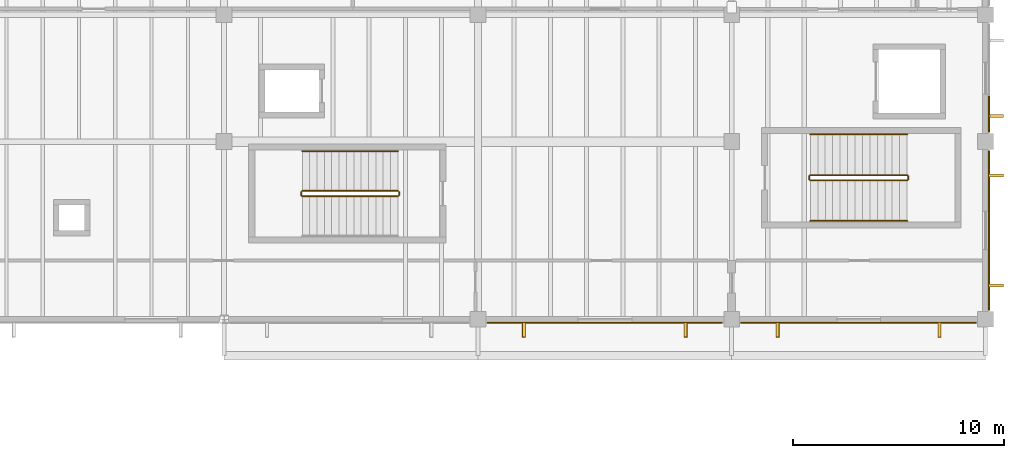
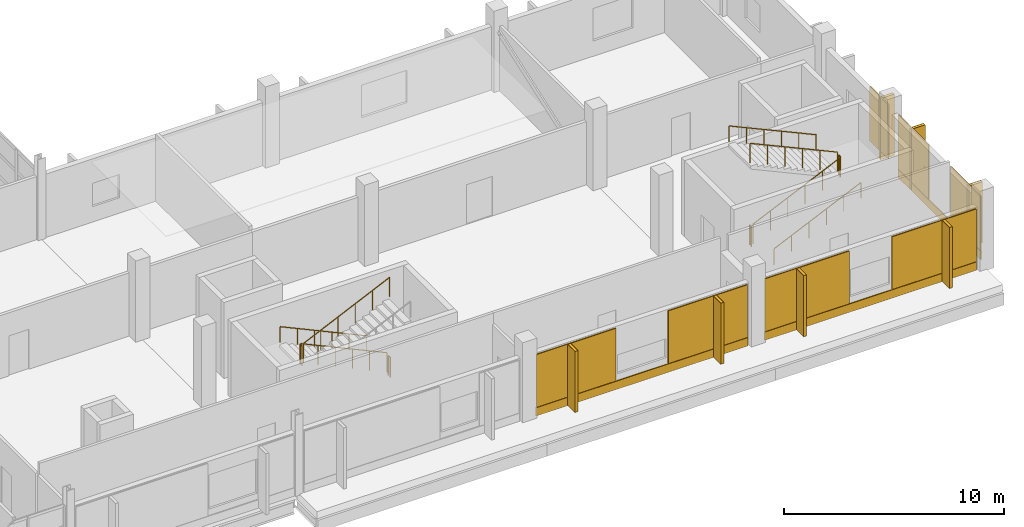
# One storey, part 111 of 114: 17 coverings, 11 railings, 7 shading devices.
"""IFC4 building model written with IfcOpenShell, lengths in metres."""

from ifc_helpers import new_model, si_unit, direction, frame, origin, origin_2d, place, context, subcontext, project, spatial, rectangle, circle, extrude, material, layer, layer_set, type_object, element, save


model = new_model("IFC4")

# Units and contexts
model_context = context("Model", 3, precision=1e-05, world=origin(), true_north=direction((0.0, 1.0)))
body_context = subcontext(model_context, "Body", "Model", "MODEL_VIEW")
ifc_project = project(units=[si_unit("LENGTHUNIT", "METRE"), si_unit("AREAUNIT", "SQUARE_METRE"), si_unit("VOLUMEUNIT", "CUBIC_METRE"), si_unit("PLANEANGLEUNIT", "RADIAN"), si_unit("MASSUNIT", "GRAM", prefix="KILO")], contexts=[model_context])

# Site, building, storey
site_placement = place(None, origin())
site = spatial("IfcSite", under=ifc_project, at=site_placement, CompositionType="ELEMENT")
building_placement = place(site_placement, origin())
building = spatial("IfcBuilding", under=site, at=building_placement, Name="Kelmvaro Bay Concert Hall", CompositionType="ELEMENT")
storey_placement = place(building_placement, frame((0.0, 0.0, 4.800048828125)))
storey = spatial("IfcBuildingStorey", under=building, at=storey_placement, Name="L01", CompositionType="ELEMENT", Elevation=4.800048828125)

# Shading devices
ifc_material_1 = material(Name="Anodised Extruded Aluminium 6063-T6", Category="aluminium")
ifc_layer_1 = layer(ifc_material_1, 3.39990234375)
ifc_layer_set_1 = layer_set([ifc_layer_1], Name="Anodised Extruded Aluminium 6063-T6")
shading_device_type = type_object("IfcShadingDeviceType", Name="Bauhaus Vertical Solar Brise-Soleil Fin 720x3400", PredefinedType="SHUTTER", material=ifc_layer_set_1)
for number, where, z_axis, x_axis, name in (
    (1, (153.824951171875, 15.10400390625, 0.0595703125), (0.0, 0.0, 1.0), (-1.0, 0.0, 0.0), "L01 Solar Brise-Soleil Fin 134"),
    (2, (146.175048828125, 15.10400390625, 0.0595703125), (0.0, 0.0, 1.0), (-1.0, 0.0, 0.0), "L01 Solar Brise-Soleil Fin 135"),
    (3, (165.824951171875, 15.10400390625, 0.0595703125), (0.0, 0.0, 1.0), (-1.0, 0.0, 0.0), "L01 Solar Brise-Soleil Fin 136"),
    (4, (158.175048828125, 15.10400390625, 0.0595703125), (0.0, 0.0, 1.0), (-1.0, 0.0, 0.0), "L01 Solar Brise-Soleil Fin 137"),
):
    element("IfcShadingDevice", number, at=place(storey_placement, frame(where, z_axis=z_axis, x_axis=x_axis)), inside=storey, type_object=shading_device_type, Name=name, PredefinedType="SHUTTER", context=body_context, shape_type="SweptSolid", body=[
        extrude(rectangle(XDim=0.159912109375, YDim=0.719970703125, at=origin_2d()), origin(), (0.0, 0.0, 1.0), 3.386962890625),
    ])
for number, where, z_axis, x_axis, name in (
    (5, (168.49609375, 22.40087890625, 0.06005859375), (0.0, 0.0, 1.0), (0.0, -1.0, 0.0), "L01 Solar Brise-Soleil Fin 144"),
    (6, (168.49609375, 17.198974609375, 0.06005859375), (0.0, 0.0, 1.0), (0.0, -1.0, 0.0), "L01 Solar Brise-Soleil Fin 145"),
    (7, (168.49609375, 25.215087890625, 0.06005859375), (0.0, 0.0, 1.0), (0.0, -1.0, 0.0), "L01 Solar Brise-Soleil Fin 147"),
):
    element("IfcShadingDevice", number, at=place(storey_placement, frame(where, z_axis=z_axis, x_axis=x_axis)), inside=storey, type_object=shading_device_type, Name=name, PredefinedType="SHUTTER", context=body_context, shape_type="SweptSolid", body=[
        extrude(rectangle(XDim=0.159912109375, YDim=0.719970703125, at=origin_2d()), origin(), (0.0, 0.0, 1.0), 3.39990234375),
    ])

# Coverings
ifc_material_2 = material(Name="PVDF-Coated Architectural Aluminium", Category="aluminium")
ifc_layer_2 = layer(ifc_material_2, 0.0400390625)
ifc_layer_set_2 = layer_set([ifc_layer_2], Name="PVDF-Coated Architectural Aluminium")
covering_type_1 = type_object("IfcCoveringType", Name="De Stijl Enamelled Aluminium Fascia Panel 40", PredefinedType="CLADDING", material=ifc_layer_set_2)
for number, where, z_axis, x_axis, name in (
    (8, (153.824951171875, 15.10400390625, 0.0595703125), (0.0, 0.0, 1.0), (-1.0, 0.0, 0.0), "L01 Architectural Vertical Fin Cladding 0711"),
    (9, (146.175048828125, 15.10400390625, 0.0595703125), (0.0, 0.0, 1.0), (-1.0, 0.0, 0.0), "L01 Architectural Vertical Fin Cladding 0712"),
    (10, (165.824951171875, 15.10400390625, 0.0595703125), (0.0, 0.0, 1.0), (-1.0, 0.0, 0.0), "L01 Architectural Vertical Fin Cladding 0716"),
    (11, (158.175048828125, 15.10400390625, 0.0595703125), (0.0, 0.0, 1.0), (-1.0, 0.0, 0.0), "L01 Architectural Vertical Fin Cladding 0717"),
):
    element("IfcCovering", number, at=place(storey_placement, frame(where, z_axis=z_axis, x_axis=x_axis)), inside=storey, type_object=covering_type_1, Name=name, PredefinedType="CLADDING", context=body_context, shape_type="SweptSolid", body=[
        extrude(rectangle(XDim=0.139892578125, YDim=0.699951171875, at=origin_2d()), origin(), (0.0, 0.0, 1.0), 3.386962890625),
    ])
for number, where, z_axis, x_axis, name in (
    (12, (168.49609375, 22.40087890625, 0.06005859375), (0.0, 0.0, 1.0), (0.0, -1.0, 0.0), "L01 Architectural Vertical Fin Cladding 0736"),
    (13, (168.49609375, 17.198974609375, 0.06005859375), (0.0, 0.0, 1.0), (0.0, -1.0, 0.0), "L01 Architectural Vertical Fin Cladding 0737"),
    (14, (168.49609375, 25.215087890625, 0.06005859375), (0.0, 0.0, 1.0), (0.0, -1.0, 0.0), "L01 Architectural Vertical Fin Cladding 0742"),
):
    element("IfcCovering", number, at=place(storey_placement, frame(where, z_axis=z_axis, x_axis=x_axis)), inside=storey, type_object=covering_type_1, Name=name, PredefinedType="CLADDING", context=body_context, shape_type="SweptSolid", body=[
        extrude(rectangle(XDim=0.139892578125, YDim=0.699951171875, at=origin_2d()), origin(), (0.0, 0.0, 1.0), 3.39990234375),
    ])
ifc_material_3 = material(Name="Honed Florida Limestone Travertine", Category="masonry")
ifc_layer_3 = layer(ifc_material_3, 0.054931640625)
ifc_layer_set_3 = layer_set([ifc_layer_3], Name="Honed Florida Limestone Travertine")
covering_type_2 = type_object("IfcCoveringType", Name="Honed Florida Travertine Rainscreen Cladding 55", PredefinedType="CLADDING", material=ifc_layer_set_3)
covering_1_placement = place(storey_placement, frame((150.0, 15.4345703125, 0.0400390625), z_axis=(0.0, 0.0, 1.0), x_axis=(-1.0, 0.0, 0.0)))
element("IfcCovering", 15, at=covering_1_placement, inside=storey, type_object=covering_type_2, Name="L01 Travertine Sill Band 0710", PredefinedType="CLADDING", context=body_context, shape_type="SweptSolid", body=[
    extrude(rectangle(XDim=11.1298828125, YDim=0.054931640625, at=origin_2d()), origin(), (0.0, 0.0, 1.0), 0.4599609375),
])
for number, where, z_axis, x_axis, name in (
    (16, (153.4599609375, 15.4345703125, 0.52001953125), (0.0, 0.0, 1.0), (-1.0, 0.0, 0.0), "L01 Travertine Pier Panel 0713"),
    (17, (146.5400390625, 15.4345703125, 0.52001953125), (0.0, 0.0, 1.0), (-1.0, 0.0, 0.0), "L01 Travertine Pier Panel 0714"),
):
    element("IfcCovering", number, at=place(storey_placement, frame(where, z_axis=z_axis, x_axis=x_axis)), inside=storey, type_object=covering_type_2, Name=name, PredefinedType="CLADDING", context=body_context, shape_type="SweptSolid", body=[
        extrude(rectangle(XDim=4.169921875, YDim=0.054931640625, at=origin_2d()), origin(), (0.0, 0.0, 1.0), 2.927001953125),
    ])
covering_2_placement = place(storey_placement, frame((162.0, 15.4345703125, 0.0400390625), z_axis=(0.0, 0.0, 1.0), x_axis=(-1.0, 0.0, 0.0)))
element("IfcCovering", 18, at=covering_2_placement, inside=storey, type_object=covering_type_2, Name="L01 Travertine Sill Band 0715", PredefinedType="CLADDING", context=body_context, shape_type="SweptSolid", body=[
    extrude(rectangle(XDim=11.1298828125, YDim=0.054931640625, at=origin_2d()), origin(), (0.0, 0.0, 1.0), 0.4599609375),
])
for number, where, z_axis, x_axis, name in (
    (19, (165.3349609375, 15.4345703125, 0.52001953125), (0.0, 0.0, 1.0), (-1.0, 0.0, 0.0), "L01 Travertine Pier Panel 0718"),
    (20, (158.6650390625, 15.4345703125, 0.52001953125), (0.0, 0.0, 1.0), (-1.0, 0.0, 0.0), "L01 Travertine Pier Panel 0719"),
):
    element("IfcCovering", number, at=place(storey_placement, frame(where, z_axis=z_axis, x_axis=x_axis)), inside=storey, type_object=covering_type_2, Name=name, PredefinedType="CLADDING", context=body_context, shape_type="SweptSolid", body=[
        extrude(rectangle(XDim=4.419921875, YDim=0.054931640625, at=origin_2d()), origin(), (0.0, 0.0, 1.0), 2.927001953125),
    ])
covering_3_placement = place(storey_placement, frame((168.16552734375, 19.800048828125, 0.0400390625), z_axis=(0.0, 0.0, 1.0), x_axis=(0.0, -1.0, 0.0)))
element("IfcCovering", 21, at=covering_3_placement, inside=storey, type_object=covering_type_2, Name="L01 Travertine Sill Band 0735", PredefinedType="CLADDING", context=body_context, shape_type="SweptSolid", body=[
    extrude(rectangle(XDim=7.530029296875, YDim=0.054931640625, at=origin_2d()), origin(), (0.0, 0.0, 1.0), 0.4599609375),
])
for number, where, z_axis, x_axis, name in (
    (22, (168.16552734375, 22.172607421875, 0.52001953125), (0.0, 0.0, 1.0), (0.0, -1.0, 0.0), "L01 Travertine Pier Panel 0738"),
    (23, (168.16552734375, 17.427490234375, 0.52001953125), (0.0, 0.0, 1.0), (0.0, -1.0, 0.0), "L01 Travertine Pier Panel 0739"),
):
    element("IfcCovering", number, at=place(storey_placement, frame(where, z_axis=z_axis, x_axis=x_axis)), inside=storey, type_object=covering_type_2, Name=name, PredefinedType="CLADDING", context=body_context, shape_type="SweptSolid", body=[
        extrude(rectangle(XDim=2.7451171875, YDim=0.054931640625, at=origin_2d()), origin(), (0.0, 0.0, 1.0), 3.008056640625),
    ])
covering_4_placement = place(storey_placement, frame((168.16552734375, 25.302490234375, 0.52001953125), z_axis=(0.0, 0.0, 1.0), x_axis=(0.0, -1.0, 0.0)))
element("IfcCovering", 24, at=covering_4_placement, inside=storey, type_object=covering_type_2, Name="L01 Travertine Pier Panel 0744", PredefinedType="CLADDING", context=body_context, shape_type="SweptSolid", body=[
    extrude(rectangle(XDim=1.695068359375, YDim=0.054931640625, at=origin_2d()), origin(), (0.0, 0.0, 1.0), 3.008056640625),
])

# Railings
ifc_material_4 = material(Name="Brushed Stainless Steel 316", Category="steel")
railing_type_1 = type_object("IfcRailingType", Name="Stair Stainless Wall Handrail 900", PredefinedType="HANDRAIL", material=ifc_material_4)
railing_1_placement = place(storey_placement, frame((140.219970703125, 23.550048828125, 0.16064453125)))
element("IfcRailing", 25, at=railing_1_placement, inside=storey, type_object=railing_type_1, Name="L01 ST-05 stair handrail 1", PredefinedType="HANDRAIL", context=body_context, shape_type="SweptSolid", body=[
    extrude(circle(Radius=0.02392578125, at=origin_2d()), frame((0.0, 0.0, 0.8759765625), z_axis=(-0.907853242209, 0.0, 0.419288075922), x_axis=(0.0, -1.0, 0.0)), (0.0, 0.0, 1.0), 4.983154296875),
    extrude(circle(Radius=0.02099609375, at=origin_2d()), origin(), (0.0, 0.0, 1.0), 0.851806640625),
    extrude(circle(Radius=0.02099609375, at=origin_2d()), frame((-0.90478515625, 0.0, 0.41796875)), (0.0, 0.0, 1.0), 0.851806640625),
    extrude(circle(Radius=0.02099609375, at=origin_2d()), frame((-1.8095703125, 0.0, 0.835693359375)), (0.0, 0.0, 1.0), 0.851806640625),
    extrude(circle(Radius=0.02099609375, at=origin_2d()), frame((-2.71435546875, 0.0, 1.253662109375)), (0.0, 0.0, 1.0), 0.851806640625),
    extrude(circle(Radius=0.02099609375, at=origin_2d()), frame((-3.619140625, 0.0, 1.67138671875)), (0.0, 0.0, 1.0), 0.851806640625),
    extrude(circle(Radius=0.02099609375, at=origin_2d()), frame((-4.52392578125, 0.0, 2.08935546875)), (0.0, 0.0, 1.0), 0.851806640625),
])
railing_2_placement = place(storey_placement, frame((159.719970703125, 20.25, 0.16064453125)))
element("IfcRailing", 26, at=railing_2_placement, inside=storey, type_object=railing_type_1, Name="L01 ST-06 stair handrail 1", PredefinedType="HANDRAIL", context=body_context, shape_type="SweptSolid", body=[
    extrude(circle(Radius=0.02392578125, at=origin_2d()), frame((0.0, 0.0, 0.8759765625), z_axis=(0.909662093554, 0.0, 0.415349100818), x_axis=(0.0, 1.0, 0.0)), (0.0, 0.0, 1.0), 5.0302734375),
    extrude(circle(Radius=0.02099609375, at=origin_2d()), origin(), (0.0, 0.0, 1.0), 0.851806640625),
    extrude(circle(Radius=0.02099609375, at=origin_2d()), frame((0.915283203125, 0.0, 0.41796875)), (0.0, 0.0, 1.0), 0.851806640625),
    extrude(circle(Radius=0.02099609375, at=origin_2d()), frame((1.830322265625, 0.0, 0.835693359375)), (0.0, 0.0, 1.0), 0.851806640625),
    extrude(circle(Radius=0.02099609375, at=origin_2d()), frame((2.74560546875, 0.0, 1.253662109375)), (0.0, 0.0, 1.0), 0.851806640625),
    extrude(circle(Radius=0.02099609375, at=origin_2d()), frame((3.66064453125, 0.0, 1.67138671875)), (0.0, 0.0, 1.0), 0.851806640625),
    extrude(circle(Radius=0.02099609375, at=origin_2d()), frame((4.575927734375, 0.0, 2.08935546875)), (0.0, 0.0, 1.0), 0.851806640625),
])
railing_3_placement = place(storey_placement, frame((164.2958984375, 24.340087890625, 2.41064453125)))
element("IfcRailing", 27, at=railing_3_placement, inside=storey, type_object=railing_type_1, Name="L01 ST-06 stair handrail 2", PredefinedType="HANDRAIL", context=body_context, shape_type="SweptSolid", body=[
    extrude(circle(Radius=0.02392578125, at=origin_2d()), frame((0.0, 0.0, 0.8759765625), z_axis=(-0.909662093554, 0.0, 0.415349100818), x_axis=(0.0, -1.0, 0.0)), (0.0, 0.0, 1.0), 5.0302734375),
    extrude(circle(Radius=0.02099609375, at=origin_2d()), origin(), (0.0, 0.0, 1.0), 0.851806640625),
    extrude(circle(Radius=0.02099609375, at=origin_2d()), frame((-0.915283203125, 0.0, 0.41796875)), (0.0, 0.0, 1.0), 0.851806640625),
    extrude(circle(Radius=0.02099609375, at=origin_2d()), frame((-1.830322265625, 0.0, 0.835693359375)), (0.0, 0.0, 1.0), 0.851806640625),
    extrude(circle(Radius=0.02099609375, at=origin_2d()), frame((-2.74560546875, 0.0, 1.253662109375)), (0.0, 0.0, 1.0), 0.851806640625),
    extrude(circle(Radius=0.02099609375, at=origin_2d()), frame((-3.66064453125, 0.0, 1.67138671875)), (0.0, 0.0, 1.0), 0.851806640625),
    extrude(circle(Radius=0.02099609375, at=origin_2d()), frame((-4.575927734375, 0.0, 2.08935546875)), (0.0, 0.0, 1.0), 0.851806640625),
])
ifc_material_5 = material(Name="Powder-Coated Steel ASTM A500", Category="steel")
railing_type_2 = type_object("IfcRailingType", Name="Stair Well Painted Steel Guard 1100", PredefinedType="BALUSTRADE", material=ifc_material_5)
railing_4_placement = place(storey_placement, frame((140.219970703125, 21.669921875, 0.16064453125)))
element("IfcRailing", 28, at=railing_4_placement, inside=storey, type_object=railing_type_2, Name="L01 ST-05 stair guard 1", PredefinedType="BALUSTRADE", context=body_context, shape_type="SweptSolid", body=[
    extrude(circle(Radius=0.02392578125, at=origin_2d()), frame((0.0, 0.0, 1.076171875), z_axis=(-0.907853242209, 0.0, 0.419288075922), x_axis=(0.0, -1.0, 0.0)), (0.0, 0.0, 1.0), 4.983154296875),
    extrude(circle(Radius=0.02099609375, at=origin_2d()), origin(), (0.0, 0.0, 1.0), 1.052001953125),
    extrude(circle(Radius=0.02099609375, at=origin_2d()), frame((-0.90478515625, 0.0, 0.41796875)), (0.0, 0.0, 1.0), 1.052001953125),
    extrude(circle(Radius=0.02099609375, at=origin_2d()), frame((-1.8095703125, 0.0, 0.835693359375)), (0.0, 0.0, 1.0), 1.052001953125),
    extrude(circle(Radius=0.02099609375, at=origin_2d()), frame((-2.71435546875, 0.0, 1.253662109375)), (0.0, 0.0, 1.0), 1.052001953125),
    extrude(circle(Radius=0.02099609375, at=origin_2d()), frame((-3.619140625, 0.0, 1.67138671875)), (0.0, 0.0, 1.0), 1.052001953125),
    extrude(circle(Radius=0.02099609375, at=origin_2d()), frame((-4.52392578125, 0.0, 2.08935546875)), (0.0, 0.0, 1.0), 1.052001953125),
])
railing_5_placement = place(storey_placement, frame((135.64599609375, 21.6201171875, 2.25)))
element("IfcRailing", 29, at=railing_5_placement, inside=storey, type_object=railing_type_2, Name="L01 ST-05 stair guard 2", PredefinedType="BALUSTRADE", context=body_context, shape_type="SweptSolid", body=[
    extrude(circle(Radius=0.02392578125, at=origin_2d()), frame((0.0, 0.0, 1.076171875), z_axis=(0.0, -1.0, 0.0), x_axis=(1.0, 0.0, 0.0)), (0.0, 0.0, 1.0), 0.150146484375),
    extrude(circle(Radius=0.02099609375, at=origin_2d()), origin(), (0.0, 0.0, 1.0), 1.052001953125),
    extrude(circle(Radius=0.02099609375, at=origin_2d()), frame((0.0, -0.150146484375, 0.0)), (0.0, 0.0, 1.0), 1.052001953125),
])
railing_6_placement = place(storey_placement, frame((135.696044921875, 21.419921875, 2.41064453125)))
element("IfcRailing", 30, at=railing_6_placement, inside=storey, type_object=railing_type_2, Name="L01 ST-05 stair guard 3", PredefinedType="BALUSTRADE", context=body_context, shape_type="SweptSolid", body=[
    extrude(circle(Radius=0.02392578125, at=origin_2d()), frame((0.0, 0.0, 1.076171875), z_axis=(0.907853242209, 0.0, 0.419288075922), x_axis=(0.0, 1.0, 0.0)), (0.0, 0.0, 1.0), 4.983154296875),
    extrude(circle(Radius=0.02099609375, at=origin_2d()), origin(), (0.0, 0.0, 1.0), 1.052001953125),
    extrude(circle(Radius=0.02099609375, at=origin_2d()), frame((0.90478515625, 0.0, 0.41796875)), (0.0, 0.0, 1.0), 1.052001953125),
    extrude(circle(Radius=0.02099609375, at=origin_2d()), frame((1.8095703125, 0.0, 0.835693359375)), (0.0, 0.0, 1.0), 1.052001953125),
    extrude(circle(Radius=0.02099609375, at=origin_2d()), frame((2.71435546875, 0.0, 1.253662109375)), (0.0, 0.0, 1.0), 1.052001953125),
    extrude(circle(Radius=0.02099609375, at=origin_2d()), frame((3.619140625, 0.0, 1.67138671875)), (0.0, 0.0, 1.0), 1.052001953125),
    extrude(circle(Radius=0.02099609375, at=origin_2d()), frame((4.52392578125, 0.0, 2.08935546875)), (0.0, 0.0, 1.0), 1.052001953125),
])
railing_7_placement = place(storey_placement, frame((140.27001953125, 21.6201171875, 0.0)))
element("IfcRailing", 31, at=railing_7_placement, inside=storey, type_object=railing_type_2, Name="L01 ST-05 stair guard 4", PredefinedType="BALUSTRADE", context=body_context, shape_type="SweptSolid", body=[
    extrude(circle(Radius=0.02392578125, at=origin_2d()), frame((0.0, 0.0, 1.076171875), z_axis=(0.0, -1.0, 0.0), x_axis=(1.0, 0.0, 0.0)), (0.0, 0.0, 1.0), 0.150146484375),
    extrude(circle(Radius=0.02099609375, at=origin_2d()), origin(), (0.0, 0.0, 1.0), 1.052001953125),
    extrude(circle(Radius=0.02099609375, at=origin_2d()), frame((0.0, -0.150146484375, 0.0)), (0.0, 0.0, 1.0), 1.052001953125),
])
railing_8_placement = place(storey_placement, frame((159.719970703125, 22.169921875, 0.16064453125)))
element("IfcRailing", 32, at=railing_8_placement, inside=storey, type_object=railing_type_2, Name="L01 ST-06 stair guard 1", PredefinedType="BALUSTRADE", context=body_context, shape_type="SweptSolid", body=[
    extrude(circle(Radius=0.02392578125, at=origin_2d()), frame((0.0, 0.0, 1.076171875), z_axis=(0.909662093554, 0.0, 0.415349100818), x_axis=(0.0, 1.0, 0.0)), (0.0, 0.0, 1.0), 5.0302734375),
    extrude(circle(Radius=0.02099609375, at=origin_2d()), origin(), (0.0, 0.0, 1.0), 1.052001953125),
    extrude(circle(Radius=0.02099609375, at=origin_2d()), frame((0.915283203125, 0.0, 0.41796875)), (0.0, 0.0, 1.0), 1.052001953125),
    extrude(circle(Radius=0.02099609375, at=origin_2d()), frame((1.830322265625, 0.0, 0.835693359375)), (0.0, 0.0, 1.0), 1.052001953125),
    extrude(circle(Radius=0.02099609375, at=origin_2d()), frame((2.74560546875, 0.0, 1.253662109375)), (0.0, 0.0, 1.0), 1.052001953125),
    extrude(circle(Radius=0.02099609375, at=origin_2d()), frame((3.66064453125, 0.0, 1.67138671875)), (0.0, 0.0, 1.0), 1.052001953125),
    extrude(circle(Radius=0.02099609375, at=origin_2d()), frame((4.575927734375, 0.0, 2.08935546875)), (0.0, 0.0, 1.0), 1.052001953125),
])
railing_9_placement = place(storey_placement, frame((164.345947265625, 22.219970703125, 2.25)))
element("IfcRailing", 33, at=railing_9_placement, inside=storey, type_object=railing_type_2, Name="L01 ST-06 stair guard 2", PredefinedType="BALUSTRADE", context=body_context, shape_type="SweptSolid", body=[
    extrude(circle(Radius=0.02392578125, at=origin_2d()), frame((0.0, 0.0, 1.076171875), z_axis=(0.0, 1.0, 0.0), x_axis=(-1.0, 0.0, 0.0)), (0.0, 0.0, 1.0), 0.150146484375),
    extrude(circle(Radius=0.02099609375, at=origin_2d()), origin(), (0.0, 0.0, 1.0), 1.052001953125),
    extrude(circle(Radius=0.02099609375, at=origin_2d()), frame((0.0, 0.150146484375, 0.0)), (0.0, 0.0, 1.0), 1.052001953125),
])
railing_10_placement = place(storey_placement, frame((164.2958984375, 22.419921875, 2.41064453125)))
element("IfcRailing", 34, at=railing_10_placement, inside=storey, type_object=railing_type_2, Name="L01 ST-06 stair guard 3", PredefinedType="BALUSTRADE", context=body_context, shape_type="SweptSolid", body=[
    extrude(circle(Radius=0.02392578125, at=origin_2d()), frame((0.0, 0.0, 1.076171875), z_axis=(-0.909662093554, 0.0, 0.415349100818), x_axis=(0.0, -1.0, 0.0)), (0.0, 0.0, 1.0), 5.0302734375),
    extrude(circle(Radius=0.02099609375, at=origin_2d()), origin(), (0.0, 0.0, 1.0), 1.052001953125),
    extrude(circle(Radius=0.02099609375, at=origin_2d()), frame((-0.915283203125, 0.0, 0.41796875)), (0.0, 0.0, 1.0), 1.052001953125),
    extrude(circle(Radius=0.02099609375, at=origin_2d()), frame((-1.830322265625, 0.0, 0.835693359375)), (0.0, 0.0, 1.0), 1.052001953125),
    extrude(circle(Radius=0.02099609375, at=origin_2d()), frame((-2.74560546875, 0.0, 1.253662109375)), (0.0, 0.0, 1.0), 1.052001953125),
    extrude(circle(Radius=0.02099609375, at=origin_2d()), frame((-3.66064453125, 0.0, 1.67138671875)), (0.0, 0.0, 1.0), 1.052001953125),
    extrude(circle(Radius=0.02099609375, at=origin_2d()), frame((-4.575927734375, 0.0, 2.08935546875)), (0.0, 0.0, 1.0), 1.052001953125),
])
railing_11_placement = place(storey_placement, frame((159.669921875, 22.219970703125, 0.0)))
element("IfcRailing", 35, at=railing_11_placement, inside=storey, type_object=railing_type_2, Name="L01 ST-06 stair guard 4", PredefinedType="BALUSTRADE", context=body_context, shape_type="SweptSolid", body=[
    extrude(circle(Radius=0.02392578125, at=origin_2d()), frame((0.0, 0.0, 1.076171875), z_axis=(0.0, 1.0, 0.0), x_axis=(-1.0, 0.0, 0.0)), (0.0, 0.0, 1.0), 0.150146484375),
    extrude(circle(Radius=0.02099609375, at=origin_2d()), origin(), (0.0, 0.0, 1.0), 1.052001953125),
    extrude(circle(Radius=0.02099609375, at=origin_2d()), frame((0.0, 0.150146484375, 0.0)), (0.0, 0.0, 1.0), 1.052001953125),
])

save(model, "model.ifc")
